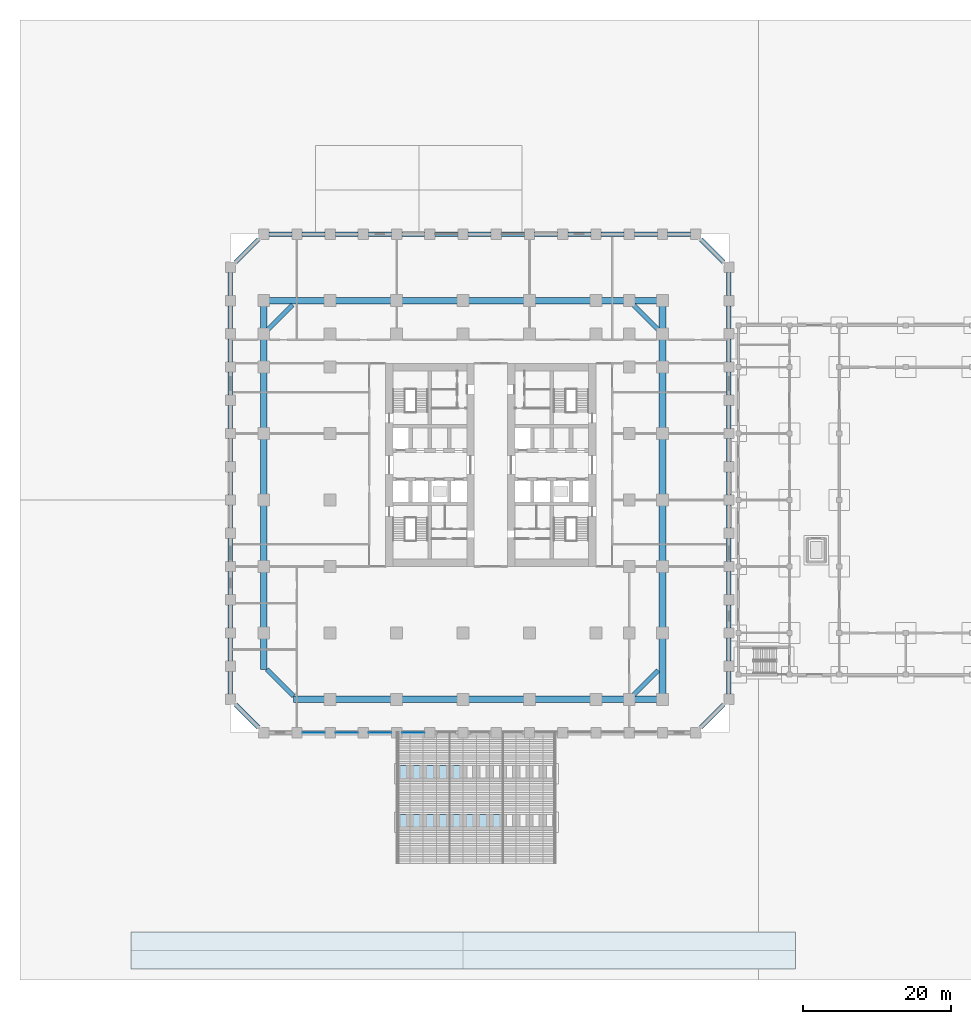
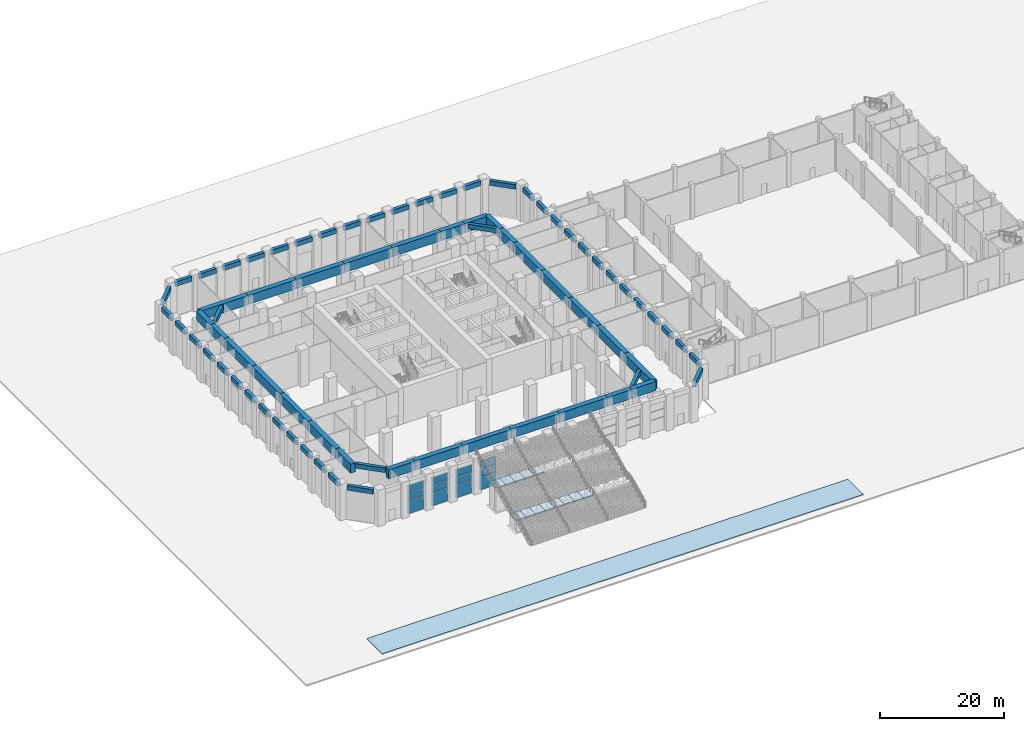
# One storey, part 5 of 30: 75 beams, 14 slabs, 12 plates, 12 elements without a shape of their own.
"""IFC4 building model written with IfcOpenShell, lengths in metres."""

from ifc_helpers import new_model, si_unit, direction, frame, origin, origin_2d, place, context, subcontext, project, spatial, polyline, rectangle, outline, extrude, material, layer, layer_set, material_profile, profile_set, type_object, element, aggregate, save


model = new_model("IFC4")

# Units and contexts
model_context = context("Model", 3, precision=1e-05, world=origin(), true_north=direction((0.0, 1.0)))
body_context = subcontext(model_context, "Body", "Model", "MODEL_VIEW")
ifc_project = project(units=[si_unit("LENGTHUNIT", "METRE"), si_unit("AREAUNIT", "SQUARE_METRE"), si_unit("VOLUMEUNIT", "CUBIC_METRE"), si_unit("PLANEANGLEUNIT", "RADIAN"), si_unit("MASSUNIT", "GRAM", prefix="KILO")], contexts=[model_context])

# Site, building, storey
site_placement = place(None, origin())
site = spatial("IfcSite", under=ifc_project, at=site_placement, CompositionType="ELEMENT")
building_placement = place(site_placement, origin())
building = spatial("IfcBuilding", under=site, at=building_placement, Name="Corbel Stack Research Tower", CompositionType="ELEMENT")
storey_placement = place(building_placement, origin())
storey = spatial("IfcBuildingStorey", under=building, at=storey_placement, Name="L00", CompositionType="ELEMENT", Elevation=0.0)

# Beams
ifc_material_1 = material(Name="Concrete C60/75", Category="concrete")
ifc_material_profile_1 = material_profile(ifc_material_1, rectangle(XDim=0.60009765625, YDim=0.89990234375, at=origin_2d()), Name="RC 600 x 900")
ifc_profile_set_1 = profile_set([ifc_material_profile_1], Name="Concrete C60/75")
beam_type_1 = type_object("IfcBeamType", Name="SB-600-900-450", PredefinedType="SPANDREL", material=ifc_profile_set_1)
beam_1_placement = place(storey_placement, frame((32.199951171875, -30.800048828125, 6.300048828125), z_axis=(0.707106781187, 0.707106781187, 0.0), x_axis=(-0.707106781187, 0.707106781187, 0.0)))
element("IfcBeam", 1, at=beam_1_placement, inside=storey, type_object=beam_type_1, Name="Spandrel beam L00-14", PredefinedType="SPANDREL", context=body_context, shape_type="SweptSolid", body=[
    extrude(rectangle(XDim=0.60009765625, YDim=0.89990234375, at=origin_2d()), origin(), (0.0, 0.0, 1.0), 4.38427734375),
])
for number, where, z_axis, x_axis, name in (
    (2, (36.0, -26.300048828125, 6.300048828125), (0.0, 1.0, 0.0), (-1.0, 0.0, 0.0), "Spandrel beam L00-15"),
    (3, (36.0, -21.800048828125, 6.300048828125), (0.0, 1.0, 0.0), (-1.0, 0.0, 0.0), "Spandrel beam L00-16"),
    (4, (36.0, -17.300048828125, 6.300048828125), (0.0, 1.0, 0.0), (-1.0, 0.0, 0.0), "Spandrel beam L00-17"),
    (5, (36.0, -12.800048828125, 6.300048828125), (0.0, 1.0, 0.0), (-1.0, 0.0, 0.0), "Spandrel beam L00-18"),
    (6, (36.0, -8.300048828125, 6.300048828125), (0.0, 1.0, 0.0), (-1.0, 0.0, 0.0), "Spandrel beam L00-19"),
    (7, (36.0, -3.800048828125, 6.300048828125), (0.0, 1.0, 0.0), (-1.0, 0.0, 0.0), "Spandrel beam L00-20"),
    (8, (36.0, 0.699951171875, 6.300048828125), (0.0, 1.0, 0.0), (-1.0, 0.0, 0.0), "Spandrel beam L00-21"),
    (9, (36.0, 5.199951171875, 6.300048828125), (0.0, 1.0, 0.0), (-1.0, 0.0, 0.0), "Spandrel beam L00-22"),
    (10, (36.0, 9.699951171875, 6.300048828125), (0.0, 1.0, 0.0), (-1.0, 0.0, 0.0), "Spandrel beam L00-23"),
    (11, (36.0, 14.199951171875, 6.300048828125), (0.0, 1.0, 0.0), (-1.0, 0.0, 0.0), "Spandrel beam L00-24"),
    (12, (36.0, 18.699951171875, 6.300048828125), (0.0, 1.0, 0.0), (-1.0, 0.0, 0.0), "Spandrel beam L00-25"),
    (13, (36.0, 23.199951171875, 6.300048828125), (0.0, 1.0, 0.0), (-1.0, 0.0, 0.0), "Spandrel beam L00-26"),
    (14, (36.0, 27.699951171875, 6.300048828125), (0.0, 1.0, 0.0), (-1.0, 0.0, 0.0), "Spandrel beam L00-27"),
):
    element("IfcBeam", number, at=place(storey_placement, frame(where, z_axis=z_axis, x_axis=x_axis)), inside=storey, type_object=beam_type_1, Name=name, PredefinedType="SPANDREL", context=body_context, shape_type="SweptSolid", body=[
        extrude(rectangle(XDim=0.60009765625, YDim=0.89990234375, at=origin_2d()), origin(), (0.0, 0.0, 1.0), 3.10009765625),
    ])
beam_2_placement = place(storey_placement, frame((35.300048828125, 32.199951171875, 6.300048828125), z_axis=(-0.707106781187, 0.707106781187, 0.0), x_axis=(-0.707106781187, -0.707106781187, 0.0)))
element("IfcBeam", 15, at=beam_2_placement, inside=storey, type_object=beam_type_1, Name="Spandrel beam L00-28", PredefinedType="SPANDREL", context=body_context, shape_type="SweptSolid", body=[
    extrude(rectangle(XDim=0.60009765625, YDim=0.89990234375, at=origin_2d()), origin(), (0.0, 0.0, 1.0), 4.38427734375),
])
for number, where, z_axis, x_axis, name in (
    (16, (30.800048828125, 36.0, 6.300048828125), (-1.0, 0.0, 0.0), (0.0, -1.0, 0.0), "Spandrel beam L00-29"),
    (17, (26.300048828125, 36.0, 6.300048828125), (-1.0, 0.0, 0.0), (0.0, -1.0, 0.0), "Spandrel beam L00-30"),
    (18, (21.800048828125, 36.0, 6.300048828125), (-1.0, 0.0, 0.0), (0.0, -1.0, 0.0), "Spandrel beam L00-31"),
    (19, (17.300048828125, 36.0, 6.300048828125), (-1.0, 0.0, 0.0), (0.0, -1.0, 0.0), "Spandrel beam L00-32"),
    (20, (12.800048828125, 36.0, 6.300048828125), (-1.0, 0.0, 0.0), (0.0, -1.0, 0.0), "Spandrel beam L00-33"),
    (21, (8.300048828125, 36.0, 6.300048828125), (-1.0, 0.0, 0.0), (0.0, -1.0, 0.0), "Spandrel beam L00-34"),
    (22, (3.800048828125, 36.0, 6.300048828125), (-1.0, 0.0, 0.0), (0.0, -1.0, 0.0), "Spandrel beam L00-35"),
    (23, (-0.699951171875, 36.0, 6.300048828125), (-1.0, 0.0, 0.0), (0.0, -1.0, 0.0), "Spandrel beam L00-36"),
    (24, (-5.199951171875, 36.0, 6.300048828125), (-1.0, 0.0, 0.0), (0.0, -1.0, 0.0), "Spandrel beam L00-37"),
    (25, (-9.699951171875, 36.0, 6.300048828125), (-1.0, 0.0, 0.0), (0.0, -1.0, 0.0), "Spandrel beam L00-38"),
    (26, (-14.199951171875, 36.0, 6.300048828125), (-1.0, 0.0, 0.0), (0.0, -1.0, 0.0), "Spandrel beam L00-39"),
    (27, (-18.699951171875, 36.0, 6.300048828125), (-1.0, 0.0, 0.0), (0.0, -1.0, 0.0), "Spandrel beam L00-40"),
    (28, (-23.199951171875, 36.0, 6.300048828125), (-1.0, 0.0, 0.0), (0.0, -1.0, 0.0), "Spandrel beam L00-41"),
):
    element("IfcBeam", number, at=place(storey_placement, frame(where, z_axis=z_axis, x_axis=x_axis)), inside=storey, type_object=beam_type_1, Name=name, PredefinedType="SPANDREL", context=body_context, shape_type="SweptSolid", body=[
        extrude(rectangle(XDim=0.60009765625, YDim=0.89990234375, at=origin_2d()), origin(), (0.0, 0.0, 1.0), 3.10009765625),
    ])
beam_3_placement = place(storey_placement, frame((-27.699951171875, 35.300048828125, 6.300048828125), z_axis=(-0.707106781187, -0.707106781187, 0.0), x_axis=(0.707106781187, -0.707106781187, 0.0)))
element("IfcBeam", 29, at=beam_3_placement, inside=storey, type_object=beam_type_1, Name="Spandrel beam L00-42", PredefinedType="SPANDREL", context=body_context, shape_type="SweptSolid", body=[
    extrude(rectangle(XDim=0.60009765625, YDim=0.89990234375, at=origin_2d()), origin(), (0.0, 0.0, 1.0), 4.38427734375),
])
for number, where, z_axis, x_axis, name in (
    (30, (-31.5, 30.800048828125, 6.300048828125), (0.0, -1.0, 0.0), (1.0, 0.0, 0.0), "Spandrel beam L00-43"),
    (31, (-31.5, 26.300048828125, 6.300048828125), (0.0, -1.0, 0.0), (1.0, 0.0, 0.0), "Spandrel beam L00-44"),
    (32, (-31.5, 21.800048828125, 6.300048828125), (0.0, -1.0, 0.0), (1.0, 0.0, 0.0), "Spandrel beam L00-45"),
    (33, (-31.5, 17.300048828125, 6.300048828125), (0.0, -1.0, 0.0), (1.0, 0.0, 0.0), "Spandrel beam L00-46"),
    (34, (-31.5, 12.800048828125, 6.300048828125), (0.0, -1.0, 0.0), (1.0, 0.0, 0.0), "Spandrel beam L00-47"),
    (35, (-31.5, 8.300048828125, 6.300048828125), (0.0, -1.0, 0.0), (1.0, 0.0, 0.0), "Spandrel beam L00-48"),
    (36, (-31.5, 3.800048828125, 6.300048828125), (0.0, -1.0, 0.0), (1.0, 0.0, 0.0), "Spandrel beam L00-49"),
    (37, (-31.5, -0.699951171875, 6.300048828125), (0.0, -1.0, 0.0), (1.0, 0.0, 0.0), "Spandrel beam L00-50"),
    (38, (-31.5, -5.199951171875, 6.300048828125), (0.0, -1.0, 0.0), (1.0, 0.0, 0.0), "Spandrel beam L00-51"),
    (39, (-31.5, -9.699951171875, 6.300048828125), (0.0, -1.0, 0.0), (1.0, 0.0, 0.0), "Spandrel beam L00-52"),
    (40, (-31.5, -14.199951171875, 6.300048828125), (0.0, -1.0, 0.0), (1.0, 0.0, 0.0), "Spandrel beam L00-53"),
    (41, (-31.5, -18.699951171875, 6.300048828125), (0.0, -1.0, 0.0), (1.0, 0.0, 0.0), "Spandrel beam L00-54"),
    (42, (-31.5, -23.199951171875, 6.300048828125), (0.0, -1.0, 0.0), (1.0, 0.0, 0.0), "Spandrel beam L00-55"),
):
    element("IfcBeam", number, at=place(storey_placement, frame(where, z_axis=z_axis, x_axis=x_axis)), inside=storey, type_object=beam_type_1, Name=name, PredefinedType="SPANDREL", context=body_context, shape_type="SweptSolid", body=[
        extrude(rectangle(XDim=0.60009765625, YDim=0.89990234375, at=origin_2d()), origin(), (0.0, 0.0, 1.0), 3.10009765625),
    ])
beam_4_placement = place(storey_placement, frame((-30.800048828125, -27.699951171875, 6.300048828125), z_axis=(0.707106781187, -0.707106781187, 0.0), x_axis=(0.707106781187, 0.707106781187, 0.0)))
element("IfcBeam", 43, at=beam_4_placement, inside=storey, type_object=beam_type_1, Name="Spandrel beam L00-56", PredefinedType="SPANDREL", context=body_context, shape_type="SweptSolid", body=[
    extrude(rectangle(XDim=0.60009765625, YDim=0.89990234375, at=origin_2d()), origin(), (0.0, 0.0, 1.0), 4.38427734375),
])
for number, where, z_axis, x_axis, name in (
    (44, (23.06298828125, -26.43701171875, 6.300048828125), (0.707106781187, 0.707106781187, 0.0), (-0.707106781187, 0.707106781187, 0.0), "Spandrel beam L00-57"),
    (45, (26.43701171875, 23.06298828125, 6.300048828125), (-0.707106781187, 0.707106781187, 0.0), (-0.707106781187, -0.707106781187, 0.0), "Spandrel beam L00-58"),
    (46, (-23.06298828125, 26.43701171875, 6.300048828125), (-0.707106781187, -0.707106781187, 0.0), (0.707106781187, -0.707106781187, 0.0), "Spandrel beam L00-59"),
):
    element("IfcBeam", number, at=place(storey_placement, frame(where, z_axis=z_axis, x_axis=x_axis)), inside=storey, type_object=beam_type_1, Name=name, PredefinedType="SPANDREL", context=body_context, shape_type="SweptSolid", body=[
        extrude(rectangle(XDim=0.60009765625, YDim=0.89990234375, at=origin_2d()), origin(), (0.0, 0.0, 1.0), 4.771484375),
    ])
beam_5_placement = place(storey_placement, frame((-26.550048828125, -22.949951171875, 6.300048828125), z_axis=(0.707106781187, -0.707106781187, 0.0), x_axis=(0.707106781187, 0.707106781187, 0.0)))
element("IfcBeam", 47, at=beam_5_placement, inside=storey, type_object=beam_type_1, Name="Spandrel beam L00-60", PredefinedType="SPANDREL", context=body_context, shape_type="SweptSolid", body=[
    extrude(rectangle(XDim=0.60009765625, YDim=0.89990234375, at=origin_2d()), origin(), (0.0, 0.0, 1.0), 5.09130859375),
])
ifc_material_2 = material(Name="Concrete C60/75", Category="concrete")
ifc_material_profile_2 = material_profile(ifc_material_2, rectangle(XDim=0.89990234375, YDim=1.800048828125, at=origin_2d()), Name="RC 900 x 1800")
ifc_profile_set_2 = profile_set([ifc_material_profile_2], Name="Concrete C60/75")
beam_type_2 = type_object("IfcBeamType", Name="TG-900-1800", PredefinedType="BEAM", material=ifc_profile_set_2)
for number, where, z_axis, x_axis, name in (
    (48, (27.0, -27.0, 5.85009765625), (0.0, 1.0, 0.0), (-1.0, 0.0, 0.0), "Transfer girder along the step L00 El-27"),
    (49, (27.0, -18.0, 5.85009765625), (0.0, 1.0, 0.0), (-1.0, 0.0, 0.0), "Transfer girder along the step L00 El-18"),
    (50, (27.0, -9.0, 5.85009765625), (0.0, 1.0, 0.0), (-1.0, 0.0, 0.0), "Transfer girder along the step L00 El-9"),
    (51, (27.0, 0.0, 5.85009765625), (0.0, 1.0, 0.0), (-1.0, 0.0, 0.0), "Transfer girder along the step L00 El0"),
    (52, (27.0, 9.0, 5.85009765625), (0.0, 1.0, 0.0), (-1.0, 0.0, 0.0), "Transfer girder along the step L00 El9"),
):
    element("IfcBeam", number, at=place(storey_placement, frame(where, z_axis=z_axis, x_axis=x_axis)), inside=storey, type_object=beam_type_2, Name=name, PredefinedType="BEAM", context=body_context, shape_type="SweptSolid", body=[
        extrude(rectangle(XDim=0.89990234375, YDim=1.800048828125, at=origin_2d()), origin(), (0.0, 0.0, 1.0), 9.0),
    ])
for number, where, z_axis, x_axis, name in (
    (53, (27.0, 18.0, 5.85009765625), (0.0, 1.0, 0.0), (-1.0, 0.0, 0.0), "Transfer girder along the step L00 El18"),
    (54, (27.0, 22.5, 5.85009765625), (0.0, 1.0, 0.0), (-1.0, 0.0, 0.0), "Transfer girder along the step L00 El22.5"),
):
    element("IfcBeam", number, at=place(storey_placement, frame(where, z_axis=z_axis, x_axis=x_axis)), inside=storey, type_object=beam_type_2, Name=name, PredefinedType="BEAM", context=body_context, shape_type="SweptSolid", body=[
        extrude(rectangle(XDim=0.89990234375, YDim=1.800048828125, at=origin_2d()), origin(), (0.0, 0.0, 1.0), 4.5),
    ])
for number, where, z_axis, x_axis, name in (
    (55, (-27.0, -18.0, 5.85009765625), (0.0, 1.0, 0.0), (-1.0, 0.0, 0.0), "Transfer girder along the step L00 Wl-18"),
    (56, (-27.0, -9.0, 5.85009765625), (0.0, 1.0, 0.0), (-1.0, 0.0, 0.0), "Transfer girder along the step L00 Wl-9"),
    (57, (-27.0, 0.0, 5.85009765625), (0.0, 1.0, 0.0), (-1.0, 0.0, 0.0), "Transfer girder along the step L00 Wl0"),
    (58, (-27.0, 9.0, 5.85009765625), (0.0, 1.0, 0.0), (-1.0, 0.0, 0.0), "Transfer girder along the step L00 Wl9"),
):
    element("IfcBeam", number, at=place(storey_placement, frame(where, z_axis=z_axis, x_axis=x_axis)), inside=storey, type_object=beam_type_2, Name=name, PredefinedType="BEAM", context=body_context, shape_type="SweptSolid", body=[
        extrude(rectangle(XDim=0.89990234375, YDim=1.800048828125, at=origin_2d()), origin(), (0.0, 0.0, 1.0), 9.0),
    ])
for number, where, z_axis, x_axis, name in (
    (59, (-27.0, 18.0, 5.85009765625), (0.0, 1.0, 0.0), (-1.0, 0.0, 0.0), "Transfer girder along the step L00 Wl18"),
    (60, (-27.0, 22.5, 5.85009765625), (0.0, 1.0, 0.0), (-1.0, 0.0, 0.0), "Transfer girder along the step L00 Wl22.5"),
):
    element("IfcBeam", number, at=place(storey_placement, frame(where, z_axis=z_axis, x_axis=x_axis)), inside=storey, type_object=beam_type_2, Name=name, PredefinedType="BEAM", context=body_context, shape_type="SweptSolid", body=[
        extrude(rectangle(XDim=0.89990234375, YDim=1.800048828125, at=origin_2d()), origin(), (0.0, 0.0, 1.0), 4.5),
    ])
beam_6_placement = place(storey_placement, frame((-27.0, -22.949951171875, 5.85009765625), z_axis=(0.0, 1.0, 0.0), x_axis=(-1.0, 0.0, 0.0)))
element("IfcBeam", 61, at=beam_6_placement, inside=storey, type_object=beam_type_2, Name="Transfer girder along the step L00 Wll", PredefinedType="BEAM", context=body_context, shape_type="SweptSolid", body=[
    extrude(rectangle(XDim=0.89990234375, YDim=1.800048828125, at=origin_2d()), origin(), (0.0, 0.0, 1.0), 4.949951171875),
])
for number, where, z_axis, x_axis, name in (
    (62, (-27.0, 27.0, 5.85009765625), (1.0, 0.0, 0.0), (0.0, 1.0, 0.0), "Transfer girder along the step L00 Nl-27"),
    (63, (-18.0, 27.0, 5.85009765625), (1.0, 0.0, 0.0), (0.0, 1.0, 0.0), "Transfer girder along the step L00 Nl-18"),
    (64, (-9.0, 27.0, 5.85009765625), (1.0, 0.0, 0.0), (0.0, 1.0, 0.0), "Transfer girder along the step L00 Nl-9"),
    (65, (0.0, 27.0, 5.85009765625), (1.0, 0.0, 0.0), (0.0, 1.0, 0.0), "Transfer girder along the step L00 Nl0"),
    (66, (9.0, 27.0, 5.85009765625), (1.0, 0.0, 0.0), (0.0, 1.0, 0.0), "Transfer girder along the step L00 Nl9"),
):
    element("IfcBeam", number, at=place(storey_placement, frame(where, z_axis=z_axis, x_axis=x_axis)), inside=storey, type_object=beam_type_2, Name=name, PredefinedType="BEAM", context=body_context, shape_type="SweptSolid", body=[
        extrude(rectangle(XDim=0.89990234375, YDim=1.800048828125, at=origin_2d()), origin(), (0.0, 0.0, 1.0), 9.0),
    ])
for number, where, z_axis, x_axis, name in (
    (67, (18.0, 27.0, 5.85009765625), (1.0, 0.0, 0.0), (0.0, 1.0, 0.0), "Transfer girder along the step L00 Nl18"),
    (68, (22.5, 27.0, 5.85009765625), (1.0, 0.0, 0.0), (0.0, 1.0, 0.0), "Transfer girder along the step L00 Nl22.5"),
):
    element("IfcBeam", number, at=place(storey_placement, frame(where, z_axis=z_axis, x_axis=x_axis)), inside=storey, type_object=beam_type_2, Name=name, PredefinedType="BEAM", context=body_context, shape_type="SweptSolid", body=[
        extrude(rectangle(XDim=0.89990234375, YDim=1.800048828125, at=origin_2d()), origin(), (0.0, 0.0, 1.0), 4.5),
    ])
for number, where, z_axis, x_axis, name in (
    (69, (-18.0, -27.0, 5.85009765625), (1.0, 0.0, 0.0), (0.0, 1.0, 0.0), "Transfer girder along the step L00 Sl-18"),
    (70, (-9.0, -27.0, 5.85009765625), (1.0, 0.0, 0.0), (0.0, 1.0, 0.0), "Transfer girder along the step L00 Sl-9"),
    (71, (0.0, -27.0, 5.85009765625), (1.0, 0.0, 0.0), (0.0, 1.0, 0.0), "Transfer girder along the step L00 Sl0"),
    (72, (9.0, -27.0, 5.85009765625), (1.0, 0.0, 0.0), (0.0, 1.0, 0.0), "Transfer girder along the step L00 Sl9"),
):
    element("IfcBeam", number, at=place(storey_placement, frame(where, z_axis=z_axis, x_axis=x_axis)), inside=storey, type_object=beam_type_2, Name=name, PredefinedType="BEAM", context=body_context, shape_type="SweptSolid", body=[
        extrude(rectangle(XDim=0.89990234375, YDim=1.800048828125, at=origin_2d()), origin(), (0.0, 0.0, 1.0), 9.0),
    ])
for number, where, z_axis, x_axis, name in (
    (73, (18.0, -27.0, 5.85009765625), (1.0, 0.0, 0.0), (0.0, 1.0, 0.0), "Transfer girder along the step L00 Sl18"),
    (74, (22.5, -27.0, 5.85009765625), (1.0, 0.0, 0.0), (0.0, 1.0, 0.0), "Transfer girder along the step L00 Sl22.5"),
):
    element("IfcBeam", number, at=place(storey_placement, frame(where, z_axis=z_axis, x_axis=x_axis)), inside=storey, type_object=beam_type_2, Name=name, PredefinedType="BEAM", context=body_context, shape_type="SweptSolid", body=[
        extrude(rectangle(XDim=0.89990234375, YDim=1.800048828125, at=origin_2d()), origin(), (0.0, 0.0, 1.0), 4.5),
    ])
beam_7_placement = place(storey_placement, frame((-22.949951171875, -27.0, 5.85009765625), z_axis=(1.0, 0.0, 0.0), x_axis=(0.0, 1.0, 0.0)))
element("IfcBeam", 75, at=beam_7_placement, inside=storey, type_object=beam_type_2, Name="Transfer girder along the step L00 Sll", PredefinedType="BEAM", context=body_context, shape_type="SweptSolid", body=[
    extrude(rectangle(XDim=0.89990234375, YDim=1.800048828125, at=origin_2d()), origin(), (0.0, 0.0, 1.0), 4.949951171875),
])

# Curtain wall, plates
ifc_material_3 = material(Name="Aluminium frame, clear glass", Category="aluminium")
curtain_wall_type = type_object("IfcCurtainWallType", Name="Storefront curtain wall CW1", PredefinedType="NOTDEFINED", material=ifc_material_3)
curtain_wall_1_placement = place(storey_placement, origin())
curtain_wall_1 = element("IfcCurtainWall", 76, at=curtain_wall_1_placement, inside=storey, type_object=curtain_wall_type, Name="Storefront curtain wall CW1 S02", PredefinedType="NOTDEFINED")
ifc_material_4 = material(Name="Clear glass", Category="glass")
ifc_layer_1 = layer(ifc_material_4, 0.028076171875)
ifc_layer_set_1 = layer_set([ifc_layer_1], Name="Clear glass")
plate_type = type_object("IfcPlateType", Name="Clear glazing 28", PredefinedType="CURTAIN_PANEL", material=ifc_layer_set_1)
plate_1_placement = place(storey_placement, frame((-20.25, -31.5, 0.06005859375), z_axis=(0.0, 0.0, 1.0), x_axis=(1.0, 0.0, 0.0)))
plate_1 = element("IfcPlate", 77, at=plate_1_placement, type_object=plate_type, Name="CW1 S02 panel 1.1", PredefinedType="CURTAIN_PANEL", context=body_context, shape_type="SweptSolid", body=[
    extrude(rectangle(XDim=2.97998046875, YDim=0.028076171875, at=origin_2d()), origin(), (0.0, 0.0, 1.0), 2.610107421875),
])
plate_2_placement = place(storey_placement, frame((-20.25, -31.5, 2.72998046875), z_axis=(0.0, 0.0, 1.0), x_axis=(1.0, 0.0, 0.0)))
plate_2 = element("IfcPlate", 78, at=plate_2_placement, type_object=plate_type, Name="CW1 S02 panel 1.2", PredefinedType="CURTAIN_PANEL", context=body_context, shape_type="SweptSolid", body=[
    extrude(rectangle(XDim=2.97998046875, YDim=0.028076171875, at=origin_2d()), origin(), (0.0, 0.0, 1.0), 1.5400390625),
])
plate_3_placement = place(storey_placement, frame((-20.25, -31.5, 4.330078125), z_axis=(0.0, 0.0, 1.0), x_axis=(1.0, 0.0, 0.0)))
plate_3 = element("IfcPlate", 79, at=plate_3_placement, type_object=plate_type, Name="CW1 S02 panel 1.3", PredefinedType="CURTAIN_PANEL", context=body_context, shape_type="SweptSolid", body=[
    extrude(rectangle(XDim=2.97998046875, YDim=0.028076171875, at=origin_2d()), origin(), (0.0, 0.0, 1.0), 1.4599609375),
])
aggregate(curtain_wall_1, [plate_1, plate_2, plate_3])

curtain_wall_2_placement = place(storey_placement, origin())
curtain_wall_2 = element("IfcCurtainWall", 80, at=curtain_wall_2_placement, inside=storey, type_object=curtain_wall_type, Name="Storefront curtain wall CW1 S03", PredefinedType="NOTDEFINED")
plate_4_placement = place(storey_placement, frame((-15.75, -31.5, 0.06005859375), z_axis=(0.0, 0.0, 1.0), x_axis=(1.0, 0.0, 0.0)))
plate_4 = element("IfcPlate", 81, at=plate_4_placement, type_object=plate_type, Name="CW1 S03 panel 1.1", PredefinedType="CURTAIN_PANEL", context=body_context, shape_type="SweptSolid", body=[
    extrude(rectangle(XDim=2.97998046875, YDim=0.028076171875, at=origin_2d()), origin(), (0.0, 0.0, 1.0), 2.610107421875),
])
plate_5_placement = place(storey_placement, frame((-15.75, -31.5, 2.72998046875), z_axis=(0.0, 0.0, 1.0), x_axis=(1.0, 0.0, 0.0)))
plate_5 = element("IfcPlate", 82, at=plate_5_placement, type_object=plate_type, Name="CW1 S03 panel 1.2", PredefinedType="CURTAIN_PANEL", context=body_context, shape_type="SweptSolid", body=[
    extrude(rectangle(XDim=2.97998046875, YDim=0.028076171875, at=origin_2d()), origin(), (0.0, 0.0, 1.0), 1.5400390625),
])
plate_6_placement = place(storey_placement, frame((-15.75, -31.5, 4.330078125), z_axis=(0.0, 0.0, 1.0), x_axis=(1.0, 0.0, 0.0)))
plate_6 = element("IfcPlate", 83, at=plate_6_placement, type_object=plate_type, Name="CW1 S03 panel 1.3", PredefinedType="CURTAIN_PANEL", context=body_context, shape_type="SweptSolid", body=[
    extrude(rectangle(XDim=2.97998046875, YDim=0.028076171875, at=origin_2d()), origin(), (0.0, 0.0, 1.0), 1.4599609375),
])
aggregate(curtain_wall_2, [plate_4, plate_5, plate_6])

curtain_wall_3_placement = place(storey_placement, origin())
curtain_wall_3 = element("IfcCurtainWall", 84, at=curtain_wall_3_placement, inside=storey, type_object=curtain_wall_type, Name="Storefront curtain wall CW1 S04", PredefinedType="NOTDEFINED")
plate_7_placement = place(storey_placement, frame((-11.25, -31.5, 0.06005859375), z_axis=(0.0, 0.0, 1.0), x_axis=(1.0, 0.0, 0.0)))
plate_7 = element("IfcPlate", 85, at=plate_7_placement, type_object=plate_type, Name="CW1 S04 panel 1.1", PredefinedType="CURTAIN_PANEL", context=body_context, shape_type="SweptSolid", body=[
    extrude(rectangle(XDim=2.97998046875, YDim=0.028076171875, at=origin_2d()), origin(), (0.0, 0.0, 1.0), 2.610107421875),
])
plate_8_placement = place(storey_placement, frame((-11.25, -31.5, 2.72998046875), z_axis=(0.0, 0.0, 1.0), x_axis=(1.0, 0.0, 0.0)))
plate_8 = element("IfcPlate", 86, at=plate_8_placement, type_object=plate_type, Name="CW1 S04 panel 1.2", PredefinedType="CURTAIN_PANEL", context=body_context, shape_type="SweptSolid", body=[
    extrude(rectangle(XDim=2.97998046875, YDim=0.028076171875, at=origin_2d()), origin(), (0.0, 0.0, 1.0), 1.5400390625),
])
plate_9_placement = place(storey_placement, frame((-11.25, -31.5, 4.330078125), z_axis=(0.0, 0.0, 1.0), x_axis=(1.0, 0.0, 0.0)))
plate_9 = element("IfcPlate", 87, at=plate_9_placement, type_object=plate_type, Name="CW1 S04 panel 1.3", PredefinedType="CURTAIN_PANEL", context=body_context, shape_type="SweptSolid", body=[
    extrude(rectangle(XDim=2.97998046875, YDim=0.028076171875, at=origin_2d()), origin(), (0.0, 0.0, 1.0), 1.4599609375),
])
aggregate(curtain_wall_3, [plate_7, plate_8, plate_9])

curtain_wall_4_placement = place(storey_placement, origin())
curtain_wall_4 = element("IfcCurtainWall", 88, at=curtain_wall_4_placement, inside=storey, type_object=curtain_wall_type, Name="Storefront curtain wall CW1 S05", PredefinedType="NOTDEFINED")
plate_10_placement = place(storey_placement, frame((-6.75, -31.5, 0.06005859375), z_axis=(0.0, 0.0, 1.0), x_axis=(1.0, 0.0, 0.0)))
plate_10 = element("IfcPlate", 89, at=plate_10_placement, type_object=plate_type, Name="CW1 S05 panel 1.1", PredefinedType="CURTAIN_PANEL", context=body_context, shape_type="SweptSolid", body=[
    extrude(rectangle(XDim=2.97998046875, YDim=0.028076171875, at=origin_2d()), origin(), (0.0, 0.0, 1.0), 2.610107421875),
])
plate_11_placement = place(storey_placement, frame((-6.75, -31.5, 2.72998046875), z_axis=(0.0, 0.0, 1.0), x_axis=(1.0, 0.0, 0.0)))
plate_11 = element("IfcPlate", 90, at=plate_11_placement, type_object=plate_type, Name="CW1 S05 panel 1.2", PredefinedType="CURTAIN_PANEL", context=body_context, shape_type="SweptSolid", body=[
    extrude(rectangle(XDim=2.97998046875, YDim=0.028076171875, at=origin_2d()), origin(), (0.0, 0.0, 1.0), 1.5400390625),
])
plate_12_placement = place(storey_placement, frame((-6.75, -31.5, 4.330078125), z_axis=(0.0, 0.0, 1.0), x_axis=(1.0, 0.0, 0.0)))
plate_12 = element("IfcPlate", 91, at=plate_12_placement, type_object=plate_type, Name="CW1 S05 panel 1.3", PredefinedType="CURTAIN_PANEL", context=body_context, shape_type="SweptSolid", body=[
    extrude(rectangle(XDim=2.97998046875, YDim=0.028076171875, at=origin_2d()), origin(), (0.0, 0.0, 1.0), 1.4599609375),
])
aggregate(curtain_wall_4, [plate_10, plate_11, plate_12])

# Slab
ifc_material_5 = material(Name="Asphalt paving")
ifc_layer_2 = layer(ifc_material_5, 0.199951171875)
ifc_layer_set_2 = layer_set([ifc_layer_2], Name="Asphalt paving")
slab_type_1 = type_object("IfcSlabType", Name="SP3 drop-off lane paving 200", PredefinedType="USERDEFINED", material=ifc_layer_set_2)
slab_1_placement = place(storey_placement, frame((0.0, 0.0, -0.199951171875)))
element("IfcSlab", 92, at=slab_1_placement, inside=storey, type_object=slab_type_1, Name="Drop-off lane", ObjectType="PAVING", PredefinedType="USERDEFINED", context=body_context, shape_type="SweptSolid", body=[
    extrude(outline(polyline([(45.0, -63.5), (-45.0, -63.5), (-45.0, -58.5), (45.0, -58.5), (45.0, -63.5)])), origin(), (0.0, 0.0, 1.0), 0.199951171875),
])

# Stair, slabs
ifc_material_6 = material(Name="Concrete C40/50", Category="concrete")
stair_type = type_object("IfcStairType", Name="SST1 garden stair", PredefinedType="STRAIGHT_RUN_STAIR", material=ifc_material_6)
stair_1_placement = place(storey_placement, origin())
stair_1 = element("IfcStair", 93, at=stair_1_placement, inside=storey, type_object=stair_type, Name="Garden stair GS1", PredefinedType="STRAIGHT_RUN_STAIR")
ifc_material_7 = material(Name="Concrete C40/50", Category="concrete")
ifc_layer_3 = layer(ifc_material_7, 0.25)
ifc_layer_set_3 = layer_set([ifc_layer_3], Name="Concrete C40/50")
slab_type_2 = type_object("IfcSlabType", Name="SST3 garden stair landing 250", PredefinedType="LANDING", material=ifc_layer_set_3)
slab_2_placement = place(storey_placement, frame((0.0, 0.0, 2.14990234375)))
slab_2 = element("IfcSlab", 94, at=slab_2_placement, type_object=slab_type_2, Name="GS1 landing 1", PredefinedType="LANDING", context=body_context, shape_type="SweptSolid", body=[
    extrude(outline(polyline([(-9.0, -44.72998046875), (-7.199951171875, -44.72998046875), (-7.199951171875, -42.570068359375), (-9.0, -42.570068359375), (-9.0, -44.72998046875)])), origin(), (0.0, 0.0, 1.0), 0.25),
])
slab_3_placement = place(storey_placement, frame((0.0, 0.0, 4.550048828125)))
slab_3 = element("IfcSlab", 95, at=slab_3_placement, type_object=slab_type_2, Name="GS1 landing 2", PredefinedType="LANDING", context=body_context, shape_type="SweptSolid", body=[
    extrude(outline(polyline([(-9.0, -38.1298828125), (-7.199951171875, -38.1298828125), (-7.199951171875, -35.969970703125), (-9.0, -35.969970703125), (-9.0, -38.1298828125)])), origin(), (0.0, 0.0, 1.0), 0.25),
])
aggregate(stair_1, [slab_2, slab_3])

stair_2_placement = place(storey_placement, origin())
stair_2 = element("IfcStair", 96, at=stair_2_placement, inside=storey, type_object=stair_type, Name="Garden stair GS2", PredefinedType="STRAIGHT_RUN_STAIR")
slab_4_placement = place(storey_placement, frame((0.0, 0.0, 2.14990234375)))
slab_4 = element("IfcSlab", 97, at=slab_4_placement, type_object=slab_type_2, Name="GS2 landing 1", PredefinedType="LANDING", context=body_context, shape_type="SweptSolid", body=[
    extrude(outline(polyline([(-7.199951171875, -44.72998046875), (-5.39990234375, -44.72998046875), (-5.39990234375, -42.570068359375), (-7.199951171875, -42.570068359375), (-7.199951171875, -44.72998046875)])), origin(), (0.0, 0.0, 1.0), 0.25),
])
slab_5_placement = place(storey_placement, frame((0.0, 0.0, 4.550048828125)))
slab_5 = element("IfcSlab", 98, at=slab_5_placement, type_object=slab_type_2, Name="GS2 landing 2", PredefinedType="LANDING", context=body_context, shape_type="SweptSolid", body=[
    extrude(outline(polyline([(-7.199951171875, -38.1298828125), (-5.39990234375, -38.1298828125), (-5.39990234375, -35.969970703125), (-7.199951171875, -35.969970703125), (-7.199951171875, -38.1298828125)])), origin(), (0.0, 0.0, 1.0), 0.25),
])
aggregate(stair_2, [slab_4, slab_5])

stair_3_placement = place(storey_placement, origin())
stair_3 = element("IfcStair", 99, at=stair_3_placement, inside=storey, type_object=stair_type, Name="Garden stair GS3", PredefinedType="STRAIGHT_RUN_STAIR")
slab_6_placement = place(storey_placement, frame((0.0, 0.0, 2.14990234375)))
slab_6 = element("IfcSlab", 100, at=slab_6_placement, type_object=slab_type_2, Name="GS3 landing 1", PredefinedType="LANDING", context=body_context, shape_type="SweptSolid", body=[
    extrude(outline(polyline([(-5.39990234375, -44.72998046875), (-3.60009765625, -44.72998046875), (-3.60009765625, -42.570068359375), (-5.39990234375, -42.570068359375), (-5.39990234375, -44.72998046875)])), origin(), (0.0, 0.0, 1.0), 0.25),
])
slab_7_placement = place(storey_placement, frame((0.0, 0.0, 4.550048828125)))
slab_7 = element("IfcSlab", 101, at=slab_7_placement, type_object=slab_type_2, Name="GS3 landing 2", PredefinedType="LANDING", context=body_context, shape_type="SweptSolid", body=[
    extrude(outline(polyline([(-5.39990234375, -38.1298828125), (-3.60009765625, -38.1298828125), (-3.60009765625, -35.969970703125), (-5.39990234375, -35.969970703125), (-5.39990234375, -38.1298828125)])), origin(), (0.0, 0.0, 1.0), 0.25),
])
aggregate(stair_3, [slab_6, slab_7])

stair_4_placement = place(storey_placement, origin())
stair_4 = element("IfcStair", 102, at=stair_4_placement, inside=storey, type_object=stair_type, Name="Garden stair GS4", PredefinedType="STRAIGHT_RUN_STAIR")
slab_8_placement = place(storey_placement, frame((0.0, 0.0, 2.14990234375)))
slab_8 = element("IfcSlab", 103, at=slab_8_placement, type_object=slab_type_2, Name="GS4 landing 1", PredefinedType="LANDING", context=body_context, shape_type="SweptSolid", body=[
    extrude(outline(polyline([(-3.60009765625, -44.72998046875), (-1.800048828125, -44.72998046875), (-1.800048828125, -42.570068359375), (-3.60009765625, -42.570068359375), (-3.60009765625, -44.72998046875)])), origin(), (0.0, 0.0, 1.0), 0.25),
])
slab_9_placement = place(storey_placement, frame((0.0, 0.0, 4.550048828125)))
slab_9 = element("IfcSlab", 104, at=slab_9_placement, type_object=slab_type_2, Name="GS4 landing 2", PredefinedType="LANDING", context=body_context, shape_type="SweptSolid", body=[
    extrude(outline(polyline([(-3.60009765625, -38.1298828125), (-1.800048828125, -38.1298828125), (-1.800048828125, -35.969970703125), (-3.60009765625, -35.969970703125), (-3.60009765625, -38.1298828125)])), origin(), (0.0, 0.0, 1.0), 0.25),
])
aggregate(stair_4, [slab_8, slab_9])

stair_5_placement = place(storey_placement, origin())
stair_5 = element("IfcStair", 105, at=stair_5_placement, inside=storey, type_object=stair_type, Name="Garden stair GS5", PredefinedType="STRAIGHT_RUN_STAIR")
slab_10_placement = place(storey_placement, frame((0.0, 0.0, 2.14990234375)))
slab_10 = element("IfcSlab", 106, at=slab_10_placement, type_object=slab_type_2, Name="GS5 landing 1", PredefinedType="LANDING", context=body_context, shape_type="SweptSolid", body=[
    extrude(outline(polyline([(-1.800048828125, -44.72998046875), (0.0, -44.72998046875), (0.0, -42.570068359375), (-1.800048828125, -42.570068359375), (-1.800048828125, -44.72998046875)])), origin(), (0.0, 0.0, 1.0), 0.25),
])
slab_11_placement = place(storey_placement, frame((0.0, 0.0, 4.550048828125)))
slab_11 = element("IfcSlab", 107, at=slab_11_placement, type_object=slab_type_2, Name="GS5 landing 2", PredefinedType="LANDING", context=body_context, shape_type="SweptSolid", body=[
    extrude(outline(polyline([(-1.800048828125, -38.1298828125), (0.0, -38.1298828125), (0.0, -35.969970703125), (-1.800048828125, -35.969970703125), (-1.800048828125, -38.1298828125)])), origin(), (0.0, 0.0, 1.0), 0.25),
])
aggregate(stair_5, [slab_10, slab_11])

# Stair, slab
stair_6_placement = place(storey_placement, origin())
stair_6 = element("IfcStair", 108, at=stair_6_placement, inside=storey, type_object=stair_type, Name="Garden stair GS6", PredefinedType="STRAIGHT_RUN_STAIR")
slab_12_placement = place(storey_placement, frame((0.0, 0.0, 2.14990234375)))
slab_12 = element("IfcSlab", 109, at=slab_12_placement, type_object=slab_type_2, Name="GS6 landing 1", PredefinedType="LANDING", context=body_context, shape_type="SweptSolid", body=[
    extrude(outline(polyline([(0.0, -44.72998046875), (1.800048828125, -44.72998046875), (1.800048828125, -42.570068359375), (0.0, -42.570068359375), (0.0, -44.72998046875)])), origin(), (0.0, 0.0, 1.0), 0.25),
])
aggregate(stair_6, [slab_12])

stair_7_placement = place(storey_placement, origin())
stair_7 = element("IfcStair", 110, at=stair_7_placement, inside=storey, type_object=stair_type, Name="Garden stair GS7", PredefinedType="STRAIGHT_RUN_STAIR")
slab_13_placement = place(storey_placement, frame((0.0, 0.0, 2.14990234375)))
slab_13 = element("IfcSlab", 111, at=slab_13_placement, type_object=slab_type_2, Name="GS7 landing 1", PredefinedType="LANDING", context=body_context, shape_type="SweptSolid", body=[
    extrude(outline(polyline([(1.800048828125, -44.72998046875), (3.60009765625, -44.72998046875), (3.60009765625, -42.570068359375), (1.800048828125, -42.570068359375), (1.800048828125, -44.72998046875)])), origin(), (0.0, 0.0, 1.0), 0.25),
])
aggregate(stair_7, [slab_13])

stair_8_placement = place(storey_placement, origin())
stair_8 = element("IfcStair", 112, at=stair_8_placement, inside=storey, type_object=stair_type, Name="Garden stair GS8", PredefinedType="STRAIGHT_RUN_STAIR")
slab_14_placement = place(storey_placement, frame((0.0, 0.0, 2.14990234375)))
slab_14 = element("IfcSlab", 113, at=slab_14_placement, type_object=slab_type_2, Name="GS8 landing 1", PredefinedType="LANDING", context=body_context, shape_type="SweptSolid", body=[
    extrude(outline(polyline([(3.60009765625, -44.72998046875), (5.39990234375, -44.72998046875), (5.39990234375, -42.570068359375), (3.60009765625, -42.570068359375), (3.60009765625, -44.72998046875)])), origin(), (0.0, 0.0, 1.0), 0.25),
])
aggregate(stair_8, [slab_14])

save(model, "model.ifc")
